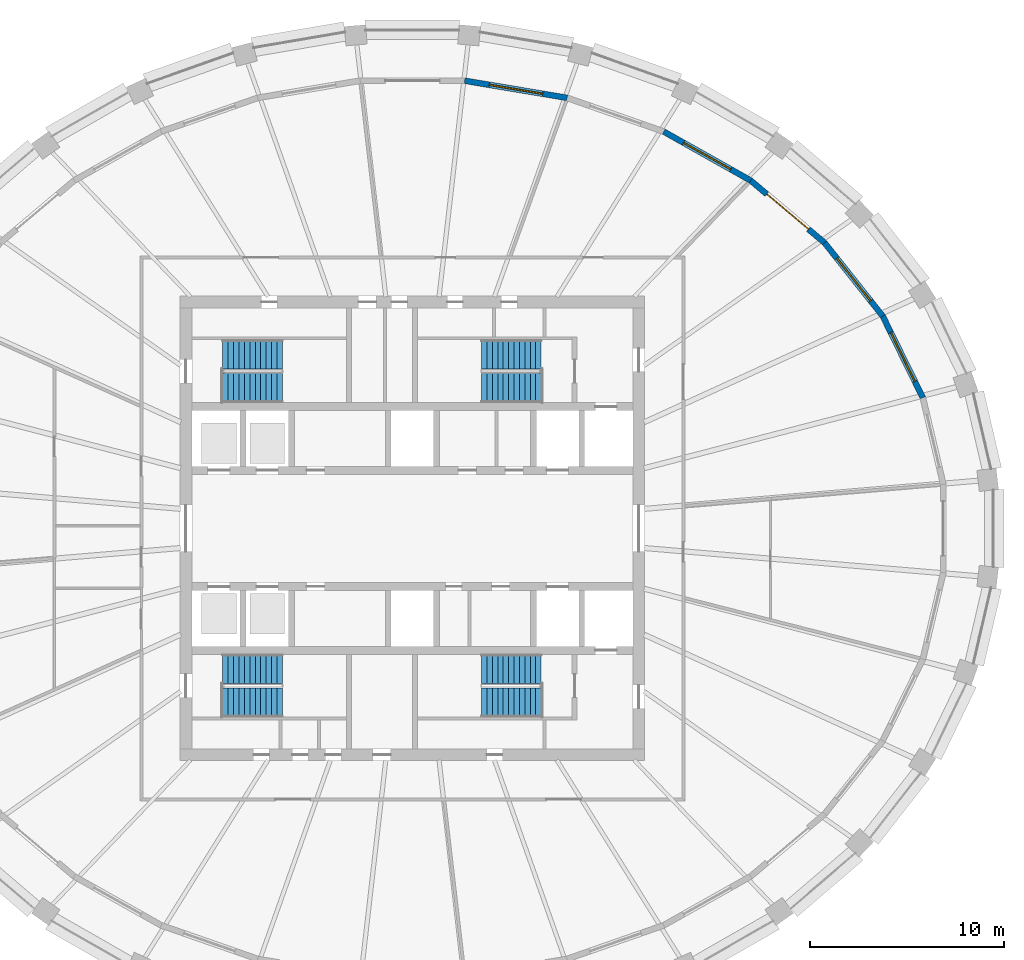
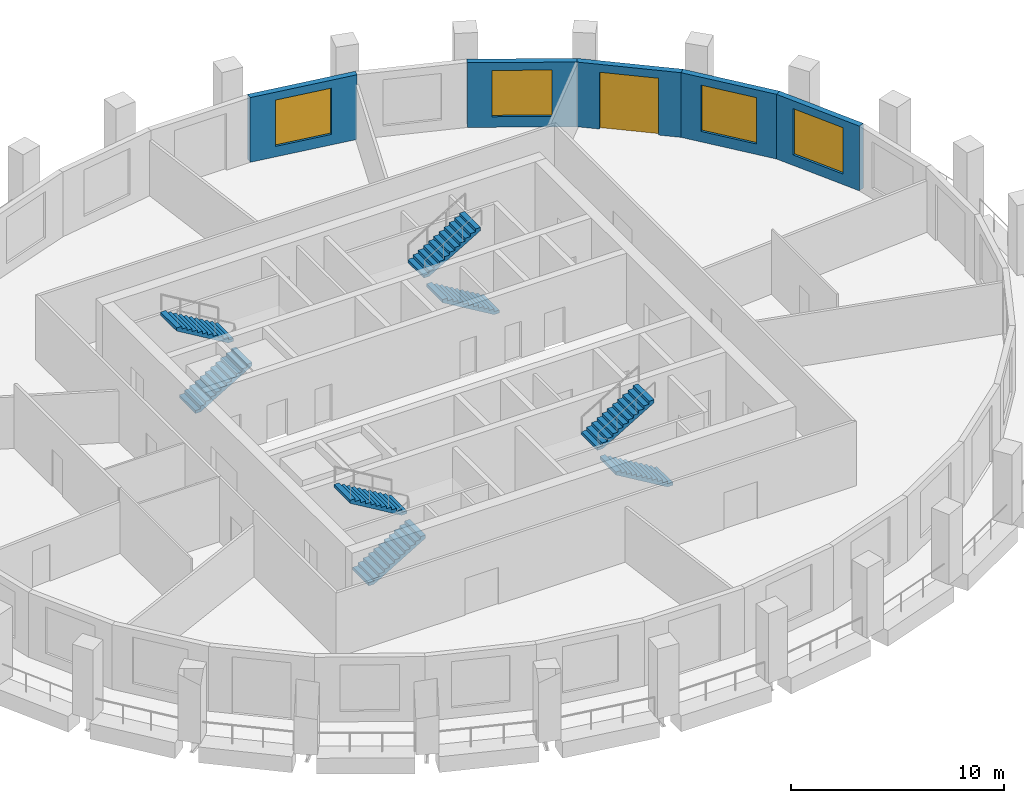
# One storey, part 7 of 10: 8 stair flights, 5 walls, 4 windows, 1 door, 5 openings, 4 elements without a shape of their own.
"""IFC4 building model written with IfcOpenShell, lengths in metres."""

from ifc_helpers import new_model, si_unit, direction, frame, frame_2d, origin, place, context, subcontext, project, spatial, polyline, rectangle, outline, extrude, material, layer, layer_set, type_object, element, fill, aggregate, save


model = new_model("IFC4")

# Units and contexts
model_context = context("Model", 3, precision=1e-05, world=origin(), true_north=direction((0.0, 1.0)))
body_context = subcontext(model_context, "Body", "Model", "MODEL_VIEW")
ifc_project = project(units=[si_unit("LENGTHUNIT", "METRE"), si_unit("AREAUNIT", "SQUARE_METRE"), si_unit("VOLUMEUNIT", "CUBIC_METRE"), si_unit("PLANEANGLEUNIT", "RADIAN"), si_unit("MASSUNIT", "GRAM", prefix="KILO")], contexts=[model_context])

# Site, building, storey
site_placement = place(None, origin())
site = spatial("IfcSite", under=ifc_project, at=site_placement, CompositionType="ELEMENT")
building_placement = place(site_placement, origin())
building = spatial("IfcBuilding", under=site, at=building_placement, Name="Halqa Exchange Tower", CompositionType="ELEMENT")
storey_placement = place(building_placement, frame((0.0, 0.0, 264.300048828125)))
storey = spatial("IfcBuildingStorey", under=building, at=storey_placement, Name="L61", CompositionType="ELEMENT", Elevation=264.300048828125)

# Wall, opening, window
ifc_material_1 = material(Name="Limestone cladding", Category="masonry")
ifc_layer_1 = layer(ifc_material_1, 0.0400390625)
ifc_material_2 = material(Name="Ventilated cavity")
ifc_layer_2 = layer(ifc_material_2, 0.030029296875, ventilated=True)
ifc_material_3 = material(Name="Mineral wool insulation")
ifc_layer_3 = layer(ifc_material_3, 0.10009765625)
ifc_material_4 = material(Name="Concrete C30/37", Category="concrete")
ifc_layer_4 = layer(ifc_material_4, 0.10009765625)
ifc_material_5 = material(Name="Internal plaster")
ifc_layer_5 = layer(ifc_material_5, 0.030029296875)
ifc_layer_set = layer_set([ifc_layer_1, ifc_layer_2, ifc_layer_3, ifc_layer_4, ifc_layer_5], Name="Stone-faced insulated wall 300")
wall_type = type_object("IfcWallType", Name="Stone-faced insulated wall 300", PredefinedType="STANDARD", material=ifc_layer_set)
wall_1_placement = place(storey_placement, frame((26.372314453125, 6.7548828125, 0.0), z_axis=(0.0, 0.0, 1.0), x_axis=(-0.441169971308, 0.89742356578, 0.0)))
wall_1 = element("IfcWall", 1, at=wall_1_placement, inside=storey, type_object=wall_type, Name="Glass-line wall 2", PredefinedType="STANDARD", context=body_context, shape_type="SweptSolid", body=[
    extrude(outline(polyline([(-0.016845703125, -0.14990234375), (4.7099609375, -0.14990234375), (4.677734375, 0.14990234375), (0.016845703125, 0.14990234375), (-0.016845703125, -0.14990234375)])), origin(), (0.0, 0.0, 1.0), 3.699951171875),
])
opening_1_placement = place(wall_1_placement, frame((0.947021484375, 0.0, 0.60009765625)))
opening_1 = element("IfcOpeningElement", 2, at=opening_1_placement, cuts=wall_1, Name="Opening W-F4-02", PredefinedType="OPENING", context=body_context, shape_type="SweptSolid", body=[
    extrude(rectangle(XDim=2.800048828125, YDim=2.64990234375, at=frame_2d((1.39990234375, 1.324951171875))), frame((0.0, 0.162109375, 0.0), z_axis=(0.0, -1.0, 0.0), x_axis=(1.0, 0.0, 0.0)), (0.0, 0.0, 1.0), 0.323974609375),
])
ifc_material_6 = material(Name="Clear low-emissivity glass in aluminium frame", Category="aluminium")
window_type = type_object("IfcWindowType", Name="Fixed clear glazed window 2800 x 2650", PartitioningType="DOUBLE_PANEL_VERTICAL", PredefinedType="WINDOW", material=ifc_material_6)
window_1_placement = place(opening_1_placement, origin())
window_1 = element("IfcWindow", 3, at=window_1_placement, inside=storey, type_object=window_type, Name="Window 4", OverallHeight=2.64990234375, OverallWidth=2.800048828125, PartitioningType="DOUBLE_PANEL_VERTICAL", PredefinedType="WINDOW", context=body_context, shape_type="SweptSolid", body=[
    extrude(rectangle(XDim=2.800048828125, YDim=2.64990234375, at=frame_2d((1.39990234375, 1.324951171875))), frame((0.0, 0.030029296875, 0.0), z_axis=(0.0, -1.0, 0.0), x_axis=(1.0, 0.0, 0.0)), (0.0, 0.0, 1.0), 0.06005859375),
])
fill(opening_1, window_1)

wall_2_placement = place(storey_placement, frame((24.301513671875, 10.96728515625, 0.0), z_axis=(0.0, 0.0, 1.0), x_axis=(-0.621358373565, 0.783526497063, 0.0)))
wall_2 = element("IfcWall", 4, at=wall_2_placement, inside=storey, type_object=wall_type, Name="Glass-line wall 3", PredefinedType="STANDARD", context=body_context, shape_type="SweptSolid", body=[
    extrude(outline(polyline([(-0.01611328125, -0.14990234375), (4.850830078125, -0.14990234375), (4.820556640625, 0.14990234375), (0.01611328125, 0.14990234375), (-0.01611328125, -0.14990234375)])), origin(), (0.0, 0.0, 1.0), 3.699951171875),
])
opening_2_placement = place(wall_2_placement, frame((1.017578125, 0.0, 0.60009765625)))
opening_2 = element("IfcOpeningElement", 5, at=opening_2_placement, cuts=wall_2, Name="Opening W-F4-03", PredefinedType="OPENING", context=body_context, shape_type="SweptSolid", body=[
    extrude(rectangle(XDim=2.800048828125, YDim=2.64990234375, at=frame_2d((1.39990234375, 1.324951171875))), frame((0.0, 0.162109375, 0.0), z_axis=(0.0, -1.0, 0.0), x_axis=(1.0, 0.0, 0.0)), (0.0, 0.0, 1.0), 0.323974609375),
])
window_2_placement = place(opening_2_placement, origin())
window_2 = element("IfcWindow", 6, at=window_2_placement, inside=storey, type_object=window_type, Name="Window 4", OverallHeight=2.64990234375, OverallWidth=2.800048828125, PartitioningType="DOUBLE_PANEL_VERTICAL", PredefinedType="WINDOW", context=body_context, shape_type="SweptSolid", body=[
    extrude(rectangle(XDim=2.800048828125, YDim=2.64990234375, at=frame_2d((1.39990234375, 1.324951171875))), frame((0.0, 0.030029296875, 0.0), z_axis=(0.0, -1.0, 0.0), x_axis=(1.0, 0.0, 0.0)), (0.0, 0.0, 1.0), 0.06005859375),
])
fill(opening_2, window_2)

# Wall, opening, door
wall_3_placement = place(storey_placement, frame((21.296875, 14.756103515625, 0.0), z_axis=(0.0, 0.0, 1.0), x_axis=(-0.764746492461, 0.644331283013, 0.0)))
wall_3 = element("IfcWall", 7, at=wall_3_placement, inside=storey, type_object=wall_type, Name="Glass-line wall 4", PredefinedType="STANDARD", context=body_context, shape_type="SweptSolid", body=[
    extrude(outline(polyline([(-0.01513671875, -0.14990234375), (5.011962890625, -0.14990234375), (4.983642578125, 0.14990234375), (0.01513671875, 0.14990234375), (-0.01513671875, -0.14990234375)])), origin(), (0.0, 0.0, 1.0), 3.699951171875),
])
opening_3_placement = place(wall_3_placement, frame((1.098876953125, 0.0, 0.0)))
opening_3 = element("IfcOpeningElement", 8, at=opening_3_placement, cuts=wall_3, Name="Opening LG-F4-01", PredefinedType="OPENING", context=body_context, shape_type="SweptSolid", body=[
    extrude(rectangle(XDim=2.800048828125, YDim=3.25, at=frame_2d((1.39990234375, 1.625))), frame((0.0, 0.162109375, 0.0), z_axis=(0.0, -1.0, 0.0), x_axis=(1.0, 0.0, 0.0)), (0.0, 0.0, 1.0), 0.323974609375),
])
door_type = type_object("IfcDoorType", Name="Glazed sliding loggia door 2800 x 3250", OperationType="DOUBLE_DOOR_SLIDING", PredefinedType="DOOR", material=ifc_material_6)
door_placement = place(opening_3_placement, origin())
door = element("IfcDoor", 9, at=door_placement, inside=storey, type_object=door_type, Name="Loggia door 1", OperationType="DOUBLE_DOOR_SLIDING", OverallHeight=3.25, OverallWidth=2.800048828125, PredefinedType="DOOR", context=body_context, shape_type="SweptSolid", body=[
    extrude(rectangle(XDim=2.800048828125, YDim=3.25, at=frame_2d((1.39990234375, 1.625))), frame((0.0, 0.02490234375, 0.0), z_axis=(0.0, -1.0, 0.0), x_axis=(1.0, 0.0, 0.0)), (0.0, 0.0, 1.0), 0.050048828125),
])
fill(opening_3, door)

# Wall, opening, window
wall_4_placement = place(storey_placement, frame((17.474853515625, 17.976318359375, 0.0), z_axis=(0.0, 0.0, 1.0), x_axis=(-0.871411047742, 0.490553550465, 0.0)))
wall_4 = element("IfcWall", 10, at=wall_4_placement, inside=storey, type_object=wall_type, Name="Glass-line wall 5", PredefinedType="STANDARD", context=body_context, shape_type="SweptSolid", body=[
    extrude(outline(polyline([(-0.01416015625, -0.14990234375), (5.16796875, -0.14990234375), (5.14111328125, 0.14990234375), (0.01416015625, 0.14990234375), (-0.01416015625, -0.14990234375)])), origin(), (0.0, 0.0, 1.0), 3.699951171875),
])
opening_4_placement = place(wall_4_placement, frame((1.17724609375, 0.0, 0.60009765625)))
opening_4 = element("IfcOpeningElement", 11, at=opening_4_placement, cuts=wall_4, Name="Opening W-F4-05", PredefinedType="OPENING", context=body_context, shape_type="SweptSolid", body=[
    extrude(rectangle(XDim=2.800048828125, YDim=2.64990234375, at=frame_2d((1.39990234375, 1.324951171875))), frame((0.0, 0.162109375, 0.0), z_axis=(0.0, -1.0, 0.0), x_axis=(1.0, 0.0, 0.0)), (0.0, 0.0, 1.0), 0.323974609375),
])
window_3_placement = place(opening_4_placement, origin())
window_3 = element("IfcWindow", 12, at=window_3_placement, inside=storey, type_object=window_type, Name="Window 4", OverallHeight=2.64990234375, OverallWidth=2.800048828125, PartitioningType="DOUBLE_PANEL_VERTICAL", PredefinedType="WINDOW", context=body_context, shape_type="SweptSolid", body=[
    extrude(rectangle(XDim=2.800048828125, YDim=2.64990234375, at=frame_2d((1.39990234375, 1.324951171875))), frame((0.0, 0.030029296875, 0.0), z_axis=(0.0, -1.0, 0.0), x_axis=(1.0, 0.0, 0.0)), (0.0, 0.0, 1.0), 0.06005859375),
])
fill(opening_4, window_3)

wall_5_placement = place(storey_placement, frame((7.994140625, 22.24609375, 0.0), z_axis=(0.0, 0.0, 1.0), x_axis=(-0.986243571741, 0.165298569867, 0.0)))
wall_5 = element("IfcWall", 13, at=wall_5_placement, inside=storey, type_object=wall_type, Name="Glass-line wall 7", PredefinedType="STANDARD", context=body_context, shape_type="SweptSolid", body=[
    extrude(outline(polyline([(-0.0126953125, -0.14990234375), (5.38134765625, -0.14990234375), (5.3564453125, 0.14990234375), (0.0126953125, 0.14990234375), (-0.0126953125, -0.14990234375)])), origin(), (0.0, 0.0, 1.0), 3.699951171875),
])
opening_5_placement = place(wall_5_placement, frame((1.284423828125, 0.0, 0.60009765625)))
opening_5 = element("IfcOpeningElement", 14, at=opening_5_placement, cuts=wall_5, Name="Opening W-F4-07", PredefinedType="OPENING", context=body_context, shape_type="SweptSolid", body=[
    extrude(rectangle(XDim=2.800048828125, YDim=2.64990234375, at=frame_2d((1.39990234375, 1.324951171875))), frame((0.0, 0.162109375, 0.0), z_axis=(0.0, -1.0, 0.0), x_axis=(1.0, 0.0, 0.0)), (0.0, 0.0, 1.0), 0.323974609375),
])
window_4_placement = place(opening_5_placement, origin())
window_4 = element("IfcWindow", 15, at=window_4_placement, inside=storey, type_object=window_type, Name="Window 4", OverallHeight=2.64990234375, OverallWidth=2.800048828125, PartitioningType="DOUBLE_PANEL_VERTICAL", PredefinedType="WINDOW", context=body_context, shape_type="SweptSolid", body=[
    extrude(rectangle(XDim=2.800048828125, YDim=2.64990234375, at=frame_2d((1.39990234375, 1.324951171875))), frame((0.0, 0.030029296875, 0.0), z_axis=(0.0, -1.0, 0.0), x_axis=(1.0, 0.0, 0.0)), (0.0, 0.0, 1.0), 0.06005859375),
])
fill(opening_5, window_4)

# Stair, stair flights
stair_type = type_object("IfcStairType", Name="Exit stair 1500 wide", PredefinedType="HALF_TURN_STAIR", material=ifc_material_4)
stair_1_placement = place(storey_placement, origin())
stair_1 = element("IfcStair", 16, at=stair_1_placement, inside=storey, type_object=stair_type, Name="Exit stair ST1", PredefinedType="HALF_TURN_STAIR")
stair_flight_type = type_object("IfcStairFlightType", Name="Stair flight 1500 wide", PredefinedType="STRAIGHT", material=ifc_material_4)
stair_flight_1_placement = place(storey_placement, frame((-9.800048828125, 7.25, 0.0), z_axis=(0.0, 0.0, 1.0), x_axis=(1.0, 0.0, 0.0)))
stair_flight_1 = element("IfcStairFlight", 17, at=stair_flight_1_placement, type_object=stair_flight_type, Name="ST1 flight 1", NumberOfRisers=12, NumberOfTreads=11, PredefinedType="STRAIGHT", RiserHeight=0.166666667, TreadLength=0.28, context=body_context, shape_type="SweptSolid", body=[
    extrude(outline(polyline([(0.0, 0.0), (0.0, 0.166748046875), (0.280029296875, 0.166748046875), (0.280029296875, 0.333251953125), (0.56005859375, 0.333251953125), (0.56005859375, 0.5), (0.840087890625, 0.5), (0.840087890625, 0.666748046875), (1.1201171875, 0.666748046875), (1.1201171875, 0.833251953125), (1.39990234375, 0.833251953125), (1.39990234375, 1.0), (1.679931640625, 1.0), (1.679931640625, 1.166748046875), (1.9599609375, 1.166748046875), (1.9599609375, 1.333251953125), (2.239990234375, 1.333251953125), (2.239990234375, 1.5), (2.52001953125, 1.5), (2.52001953125, 1.666748046875), (2.800048828125, 1.666748046875), (2.800048828125, 1.833251953125), (3.080078125, 1.833251953125), (3.080078125, 2.0), (3.080078125, 1.658935546875), (0.29296875, 0.0), (0.0, 0.0)])), frame((0.0, 0.75, 0.0), z_axis=(0.0, -1.0, 0.0), x_axis=(1.0, 0.0, 0.0)), (0.0, 0.0, 1.0), 1.5),
])
stair_flight_2_placement = place(storey_placement, frame((-6.719970703125, 9.0, 2.0), z_axis=(0.0, 0.0, 1.0), x_axis=(-1.0, 0.0, 0.0)))
stair_flight_2 = element("IfcStairFlight", 18, at=stair_flight_2_placement, type_object=stair_flight_type, Name="ST1 flight 2", NumberOfRisers=12, NumberOfTreads=11, PredefinedType="STRAIGHT", RiserHeight=0.166666667, TreadLength=0.28, context=body_context, shape_type="SweptSolid", body=[
    extrude(outline(polyline([(0.0, 0.0), (0.0, 0.166748046875), (0.280029296875, 0.166748046875), (0.280029296875, 0.333251953125), (0.56005859375, 0.333251953125), (0.56005859375, 0.5), (0.840087890625, 0.5), (0.840087890625, 0.666748046875), (1.1201171875, 0.666748046875), (1.1201171875, 0.833251953125), (1.39990234375, 0.833251953125), (1.39990234375, 1.0), (1.679931640625, 1.0), (1.679931640625, 1.166748046875), (1.9599609375, 1.166748046875), (1.9599609375, 1.333251953125), (2.239990234375, 1.333251953125), (2.239990234375, 1.5), (2.52001953125, 1.5), (2.52001953125, 1.666748046875), (2.800048828125, 1.666748046875), (2.800048828125, 1.833251953125), (3.080078125, 1.833251953125), (3.080078125, 2.0), (3.080078125, 1.658935546875), (0.29296875, 0.0), (0.0, 0.0)])), frame((0.0, 0.75, 0.0), z_axis=(0.0, -1.0, 0.0), x_axis=(1.0, 0.0, 0.0)), (0.0, 0.0, 1.0), 1.5),
])
aggregate(stair_1, [stair_flight_1, stair_flight_2])

stair_2_placement = place(storey_placement, origin())
stair_2 = element("IfcStair", 19, at=stair_2_placement, inside=storey, type_object=stair_type, Name="Exit stair ST2", PredefinedType="HALF_TURN_STAIR")
stair_flight_3_placement = place(storey_placement, frame((6.64990234375, 7.25, 0.0), z_axis=(0.0, 0.0, 1.0), x_axis=(-1.0, 0.0, 0.0)))
stair_flight_3 = element("IfcStairFlight", 20, at=stair_flight_3_placement, type_object=stair_flight_type, Name="ST2 flight 1", NumberOfRisers=12, NumberOfTreads=11, PredefinedType="STRAIGHT", RiserHeight=0.166666667, TreadLength=0.28, context=body_context, shape_type="SweptSolid", body=[
    extrude(outline(polyline([(0.0, 0.0), (0.0, 0.166748046875), (0.280029296875, 0.166748046875), (0.280029296875, 0.333251953125), (0.56005859375, 0.333251953125), (0.56005859375, 0.5), (0.840087890625, 0.5), (0.840087890625, 0.666748046875), (1.1201171875, 0.666748046875), (1.1201171875, 0.833251953125), (1.39990234375, 0.833251953125), (1.39990234375, 1.0), (1.679931640625, 1.0), (1.679931640625, 1.166748046875), (1.9599609375, 1.166748046875), (1.9599609375, 1.333251953125), (2.239990234375, 1.333251953125), (2.239990234375, 1.5), (2.52001953125, 1.5), (2.52001953125, 1.666748046875), (2.800048828125, 1.666748046875), (2.800048828125, 1.833251953125), (3.080078125, 1.833251953125), (3.080078125, 2.0), (3.080078125, 1.658935546875), (0.29296875, 0.0), (0.0, 0.0)])), frame((0.0, 0.75, 0.0), z_axis=(0.0, -1.0, 0.0), x_axis=(1.0, 0.0, 0.0)), (0.0, 0.0, 1.0), 1.5),
])
stair_flight_4_placement = place(storey_placement, frame((3.570068359375, 9.0, 2.0), z_axis=(0.0, 0.0, 1.0), x_axis=(1.0, 0.0, 0.0)))
stair_flight_4 = element("IfcStairFlight", 21, at=stair_flight_4_placement, type_object=stair_flight_type, Name="ST2 flight 2", NumberOfRisers=12, NumberOfTreads=11, PredefinedType="STRAIGHT", RiserHeight=0.166666667, TreadLength=0.28, context=body_context, shape_type="SweptSolid", body=[
    extrude(outline(polyline([(0.0, 0.0), (0.0, 0.166748046875), (0.280029296875, 0.166748046875), (0.280029296875, 0.333251953125), (0.56005859375, 0.333251953125), (0.56005859375, 0.5), (0.840087890625, 0.5), (0.840087890625, 0.666748046875), (1.1201171875, 0.666748046875), (1.1201171875, 0.833251953125), (1.39990234375, 0.833251953125), (1.39990234375, 1.0), (1.679931640625, 1.0), (1.679931640625, 1.166748046875), (1.9599609375, 1.166748046875), (1.9599609375, 1.333251953125), (2.239990234375, 1.333251953125), (2.239990234375, 1.5), (2.52001953125, 1.5), (2.52001953125, 1.666748046875), (2.800048828125, 1.666748046875), (2.800048828125, 1.833251953125), (3.080078125, 1.833251953125), (3.080078125, 2.0), (3.080078125, 1.658935546875), (0.29296875, 0.0), (0.0, 0.0)])), frame((0.0, 0.75, 0.0), z_axis=(0.0, -1.0, 0.0), x_axis=(1.0, 0.0, 0.0)), (0.0, 0.0, 1.0), 1.5),
])
aggregate(stair_2, [stair_flight_3, stair_flight_4])

stair_3_placement = place(storey_placement, origin())
stair_3 = element("IfcStair", 22, at=stair_3_placement, inside=storey, type_object=stair_type, Name="Exit stair ST3", PredefinedType="HALF_TURN_STAIR")
stair_flight_5_placement = place(storey_placement, frame((-9.800048828125, -9.0, 0.0), z_axis=(0.0, 0.0, 1.0), x_axis=(1.0, 0.0, 0.0)))
stair_flight_5 = element("IfcStairFlight", 23, at=stair_flight_5_placement, type_object=stair_flight_type, Name="ST3 flight 1", NumberOfRisers=12, NumberOfTreads=11, PredefinedType="STRAIGHT", RiserHeight=0.166666667, TreadLength=0.28, context=body_context, shape_type="SweptSolid", body=[
    extrude(outline(polyline([(0.0, 0.0), (0.0, 0.166748046875), (0.280029296875, 0.166748046875), (0.280029296875, 0.333251953125), (0.56005859375, 0.333251953125), (0.56005859375, 0.5), (0.840087890625, 0.5), (0.840087890625, 0.666748046875), (1.1201171875, 0.666748046875), (1.1201171875, 0.833251953125), (1.39990234375, 0.833251953125), (1.39990234375, 1.0), (1.679931640625, 1.0), (1.679931640625, 1.166748046875), (1.9599609375, 1.166748046875), (1.9599609375, 1.333251953125), (2.239990234375, 1.333251953125), (2.239990234375, 1.5), (2.52001953125, 1.5), (2.52001953125, 1.666748046875), (2.800048828125, 1.666748046875), (2.800048828125, 1.833251953125), (3.080078125, 1.833251953125), (3.080078125, 2.0), (3.080078125, 1.658935546875), (0.29296875, 0.0), (0.0, 0.0)])), frame((0.0, 0.75, 0.0), z_axis=(0.0, -1.0, 0.0), x_axis=(1.0, 0.0, 0.0)), (0.0, 0.0, 1.0), 1.5),
])
stair_flight_6_placement = place(storey_placement, frame((-6.719970703125, -7.25, 2.0), z_axis=(0.0, 0.0, 1.0), x_axis=(-1.0, 0.0, 0.0)))
stair_flight_6 = element("IfcStairFlight", 24, at=stair_flight_6_placement, type_object=stair_flight_type, Name="ST3 flight 2", NumberOfRisers=12, NumberOfTreads=11, PredefinedType="STRAIGHT", RiserHeight=0.166666667, TreadLength=0.28, context=body_context, shape_type="SweptSolid", body=[
    extrude(outline(polyline([(0.0, 0.0), (0.0, 0.166748046875), (0.280029296875, 0.166748046875), (0.280029296875, 0.333251953125), (0.56005859375, 0.333251953125), (0.56005859375, 0.5), (0.840087890625, 0.5), (0.840087890625, 0.666748046875), (1.1201171875, 0.666748046875), (1.1201171875, 0.833251953125), (1.39990234375, 0.833251953125), (1.39990234375, 1.0), (1.679931640625, 1.0), (1.679931640625, 1.166748046875), (1.9599609375, 1.166748046875), (1.9599609375, 1.333251953125), (2.239990234375, 1.333251953125), (2.239990234375, 1.5), (2.52001953125, 1.5), (2.52001953125, 1.666748046875), (2.800048828125, 1.666748046875), (2.800048828125, 1.833251953125), (3.080078125, 1.833251953125), (3.080078125, 2.0), (3.080078125, 1.658935546875), (0.29296875, 0.0), (0.0, 0.0)])), frame((0.0, 0.75, 0.0), z_axis=(0.0, -1.0, 0.0), x_axis=(1.0, 0.0, 0.0)), (0.0, 0.0, 1.0), 1.5),
])
aggregate(stair_3, [stair_flight_5, stair_flight_6])

stair_4_placement = place(storey_placement, origin())
stair_4 = element("IfcStair", 25, at=stair_4_placement, inside=storey, type_object=stair_type, Name="Exit stair ST4", PredefinedType="HALF_TURN_STAIR")
stair_flight_7_placement = place(storey_placement, frame((6.64990234375, -9.0, 0.0), z_axis=(0.0, 0.0, 1.0), x_axis=(-1.0, 0.0, 0.0)))
stair_flight_7 = element("IfcStairFlight", 26, at=stair_flight_7_placement, type_object=stair_flight_type, Name="ST4 flight 1", NumberOfRisers=12, NumberOfTreads=11, PredefinedType="STRAIGHT", RiserHeight=0.166666667, TreadLength=0.28, context=body_context, shape_type="SweptSolid", body=[
    extrude(outline(polyline([(0.0, 0.0), (0.0, 0.166748046875), (0.280029296875, 0.166748046875), (0.280029296875, 0.333251953125), (0.56005859375, 0.333251953125), (0.56005859375, 0.5), (0.840087890625, 0.5), (0.840087890625, 0.666748046875), (1.1201171875, 0.666748046875), (1.1201171875, 0.833251953125), (1.39990234375, 0.833251953125), (1.39990234375, 1.0), (1.679931640625, 1.0), (1.679931640625, 1.166748046875), (1.9599609375, 1.166748046875), (1.9599609375, 1.333251953125), (2.239990234375, 1.333251953125), (2.239990234375, 1.5), (2.52001953125, 1.5), (2.52001953125, 1.666748046875), (2.800048828125, 1.666748046875), (2.800048828125, 1.833251953125), (3.080078125, 1.833251953125), (3.080078125, 2.0), (3.080078125, 1.658935546875), (0.29296875, 0.0), (0.0, 0.0)])), frame((0.0, 0.75, 0.0), z_axis=(0.0, -1.0, 0.0), x_axis=(1.0, 0.0, 0.0)), (0.0, 0.0, 1.0), 1.5),
])
stair_flight_8_placement = place(storey_placement, frame((3.570068359375, -7.25, 2.0), z_axis=(0.0, 0.0, 1.0), x_axis=(1.0, 0.0, 0.0)))
stair_flight_8 = element("IfcStairFlight", 27, at=stair_flight_8_placement, type_object=stair_flight_type, Name="ST4 flight 2", NumberOfRisers=12, NumberOfTreads=11, PredefinedType="STRAIGHT", RiserHeight=0.166666667, TreadLength=0.28, context=body_context, shape_type="SweptSolid", body=[
    extrude(outline(polyline([(0.0, 0.0), (0.0, 0.166748046875), (0.280029296875, 0.166748046875), (0.280029296875, 0.333251953125), (0.56005859375, 0.333251953125), (0.56005859375, 0.5), (0.840087890625, 0.5), (0.840087890625, 0.666748046875), (1.1201171875, 0.666748046875), (1.1201171875, 0.833251953125), (1.39990234375, 0.833251953125), (1.39990234375, 1.0), (1.679931640625, 1.0), (1.679931640625, 1.166748046875), (1.9599609375, 1.166748046875), (1.9599609375, 1.333251953125), (2.239990234375, 1.333251953125), (2.239990234375, 1.5), (2.52001953125, 1.5), (2.52001953125, 1.666748046875), (2.800048828125, 1.666748046875), (2.800048828125, 1.833251953125), (3.080078125, 1.833251953125), (3.080078125, 2.0), (3.080078125, 1.658935546875), (0.29296875, 0.0), (0.0, 0.0)])), frame((0.0, 0.75, 0.0), z_axis=(0.0, -1.0, 0.0), x_axis=(1.0, 0.0, 0.0)), (0.0, 0.0, 1.0), 1.5),
])
aggregate(stair_4, [stair_flight_7, stair_flight_8])

save(model, "model.ifc")
